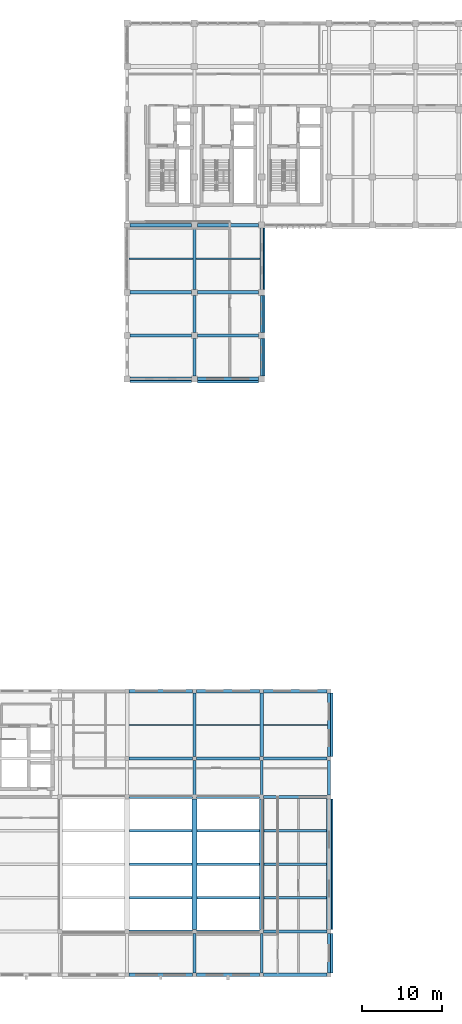
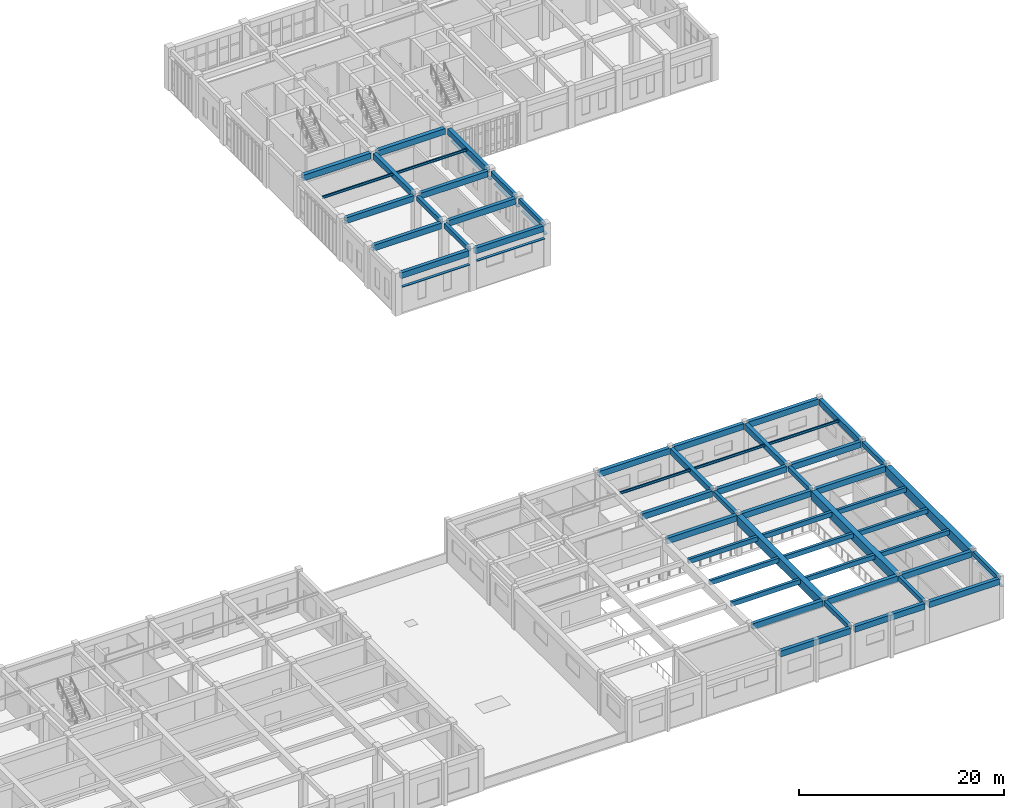
# One storey, part 36 of 77: 55 beams, 8 members.
"""IFC4 building model written with IfcOpenShell, lengths in metres."""

from ifc_helpers import new_model, si_unit, direction, frame, origin, origin_2d, place, context, subcontext, project, spatial, rectangle, hollow_rectangle, i_section, extrude, material, material_profile, profile_set, type_object, element, save


model = new_model("IFC4")

# Units and contexts
model_context = context("Model", 3, precision=1e-05, world=origin(), true_north=direction((0.0, 1.0)))
body_context = subcontext(model_context, "Body", "Model", "MODEL_VIEW")
ifc_project = project(units=[si_unit("LENGTHUNIT", "METRE"), si_unit("AREAUNIT", "SQUARE_METRE"), si_unit("VOLUMEUNIT", "CUBIC_METRE"), si_unit("PLANEANGLEUNIT", "RADIAN"), si_unit("MASSUNIT", "GRAM", prefix="KILO")], contexts=[model_context])

# Site, building, storey
site_placement = place(None, origin())
site = spatial("IfcSite", under=ifc_project, at=site_placement, CompositionType="ELEMENT")
building_placement = place(site_placement, origin())
building = spatial("IfcBuilding", under=site, at=building_placement, Name="Krzemoval Escarpment Law Courts", CompositionType="ELEMENT")
storey_placement = place(building_placement, frame((0.0, 0.0, 15.300048828125)))
storey = spatial("IfcBuildingStorey", under=building, at=storey_placement, Name="L03", CompositionType="ELEMENT", Elevation=15.300048828125)

# Beams
ifc_material_1 = material(Name="Concrete C50/60", Category="concrete")
ifc_material_profile_1 = material_profile(ifc_material_1, rectangle(XDim=0.60009765625, YDim=1.050048828125, at=origin_2d()), Name="PTG 600x1050")
ifc_profile_set_1 = profile_set([ifc_material_profile_1], Name="Concrete C50/60")
beam_type_1 = type_object("IfcBeamType", Name="BM-PTG-600x1050", PredefinedType="BEAM", material=ifc_profile_set_1)
for number, where, z_axis, x_axis, name in (
    (1, (134.39990234375, 5.64990234375, 4.31494140625), (0.0, 1.0, 0.0), (-1.0, 0.0, 0.0), "Beam FG-L03-2316"),
    (2, (142.800048828125, 5.64990234375, 4.31494140625), (0.0, 1.0, 0.0), (-1.0, 0.0, 0.0), "Beam FG-L03-2327"),
    (3, (151.199951171875, 5.64990234375, 4.31494140625), (0.0, 1.0, 0.0), (-1.0, 0.0, 0.0), "Beam FG-L03-2338"),
):
    element("IfcBeam", number, at=place(storey_placement, frame(where, z_axis=z_axis, x_axis=x_axis)), inside=storey, type_object=beam_type_1, Name=name, PredefinedType="BEAM", context=body_context, shape_type="SweptSolid", body=[
        extrude(rectangle(XDim=0.60009765625, YDim=1.050048828125, at=origin_2d()), origin(), (0.0, 0.0, 1.0), 16.300048828125),
    ])
ifc_material_2 = material(Name="Concrete C40/50", Category="concrete")
ifc_material_profile_2 = material_profile(ifc_material_2, rectangle(XDim=0.35009765625, YDim=0.550048828125, at=origin_2d()), Name="RCB 350x550")
ifc_profile_set_2 = profile_set([ifc_material_profile_2], Name="Concrete C40/50")
beam_type_2 = type_object("IfcBeamType", Name="BM-RC-350x550", PredefinedType="BEAM", material=ifc_profile_set_2)
beam_1_placement = place(storey_placement, frame((134.39990234375, 0.25, 4.56494140625), z_axis=(0.0, 1.0, 0.0), x_axis=(-1.0, 0.0, 0.0)))
element("IfcBeam", 4, at=beam_1_placement, inside=storey, type_object=beam_type_2, Name="Beam FG-L03-2315", PredefinedType="BEAM", context=body_context, shape_type="SweptSolid", body=[
    extrude(rectangle(XDim=0.35009765625, YDim=0.550048828125, at=origin_2d()), origin(), (0.0, 0.0, 1.0), 4.89990234375),
])
beam_2_placement = place(storey_placement, frame((134.39990234375, 22.449951171875, 4.56494140625), z_axis=(0.0, 1.0, 0.0), x_axis=(-1.0, 0.0, 0.0)))
element("IfcBeam", 5, at=beam_2_placement, inside=storey, type_object=beam_type_2, Name="Beam FG-L03-2317", PredefinedType="BEAM", context=body_context, shape_type="SweptSolid", body=[
    extrude(rectangle(XDim=0.35009765625, YDim=0.550048828125, at=origin_2d()), origin(), (0.0, 0.0, 1.0), 4.300048828125),
])
beam_3_placement = place(storey_placement, frame((134.39990234375, 74.77490234375, 4.56494140625), z_axis=(0.0, 1.0, 0.0), x_axis=(-1.0, 0.0, 0.0)))
element("IfcBeam", 6, at=beam_3_placement, inside=storey, type_object=beam_type_2, Name="Beam FG-L03-2319", PredefinedType="BEAM", context=body_context, shape_type="SweptSolid", body=[
    extrude(rectangle(XDim=0.35009765625, YDim=0.550048828125, at=origin_2d()), origin(), (0.0, 0.0, 1.0), 4.650146484375),
])
beam_4_placement = place(storey_placement, frame((134.39990234375, 80.175048828125, 4.56494140625), z_axis=(0.0, 1.0, 0.0), x_axis=(-1.0, 0.0, 0.0)))
element("IfcBeam", 7, at=beam_4_placement, inside=storey, type_object=beam_type_2, Name="Beam FG-L03-2320", PredefinedType="BEAM", context=body_context, shape_type="SweptSolid", body=[
    extrude(rectangle(XDim=0.35009765625, YDim=0.550048828125, at=origin_2d()), origin(), (0.0, 0.0, 1.0), 4.64990234375),
])
beam_5_placement = place(storey_placement, frame((142.800048828125, 0.25, 4.56494140625), z_axis=(0.0, 1.0, 0.0), x_axis=(-1.0, 0.0, 0.0)))
element("IfcBeam", 8, at=beam_5_placement, inside=storey, type_object=beam_type_2, Name="Beam FG-L03-2326", PredefinedType="BEAM", context=body_context, shape_type="SweptSolid", body=[
    extrude(rectangle(XDim=0.35009765625, YDim=0.550048828125, at=origin_2d()), origin(), (0.0, 0.0, 1.0), 4.89990234375),
])
beam_6_placement = place(storey_placement, frame((142.800048828125, 22.449951171875, 4.56494140625), z_axis=(0.0, 1.0, 0.0), x_axis=(-1.0, 0.0, 0.0)))
element("IfcBeam", 9, at=beam_6_placement, inside=storey, type_object=beam_type_2, Name="Beam FG-L03-2328", PredefinedType="BEAM", context=body_context, shape_type="SweptSolid", body=[
    extrude(rectangle(XDim=0.35009765625, YDim=0.550048828125, at=origin_2d()), origin(), (0.0, 0.0, 1.0), 4.300048828125),
])
beam_7_placement = place(storey_placement, frame((142.800048828125, 74.77490234375, 4.56494140625), z_axis=(0.0, 1.0, 0.0), x_axis=(-1.0, 0.0, 0.0)))
element("IfcBeam", 10, at=beam_7_placement, inside=storey, type_object=beam_type_2, Name="Beam FG-L03-2330", PredefinedType="BEAM", context=body_context, shape_type="SweptSolid", body=[
    extrude(rectangle(XDim=0.35009765625, YDim=0.550048828125, at=origin_2d()), origin(), (0.0, 0.0, 1.0), 4.650146484375),
])
beam_8_placement = place(storey_placement, frame((142.800048828125, 80.175048828125, 4.56494140625), z_axis=(0.0, 1.0, 0.0), x_axis=(-1.0, 0.0, 0.0)))
element("IfcBeam", 11, at=beam_8_placement, inside=storey, type_object=beam_type_2, Name="Beam FG-L03-2331", PredefinedType="BEAM", context=body_context, shape_type="SweptSolid", body=[
    extrude(rectangle(XDim=0.35009765625, YDim=0.550048828125, at=origin_2d()), origin(), (0.0, 0.0, 1.0), 4.64990234375),
])
beam_9_placement = place(storey_placement, frame((151.199951171875, 0.25, 4.56494140625), z_axis=(0.0, 1.0, 0.0), x_axis=(-1.0, 0.0, 0.0)))
element("IfcBeam", 12, at=beam_9_placement, inside=storey, type_object=beam_type_2, Name="Beam FG-L03-2337", PredefinedType="BEAM", context=body_context, shape_type="SweptSolid", body=[
    extrude(rectangle(XDim=0.35009765625, YDim=0.550048828125, at=origin_2d()), origin(), (0.0, 0.0, 1.0), 4.89990234375),
])
beam_10_placement = place(storey_placement, frame((151.199951171875, 22.449951171875, 4.56494140625), z_axis=(0.0, 1.0, 0.0), x_axis=(-1.0, 0.0, 0.0)))
element("IfcBeam", 13, at=beam_10_placement, inside=storey, type_object=beam_type_2, Name="Beam FG-L03-2339", PredefinedType="BEAM", context=body_context, shape_type="SweptSolid", body=[
    extrude(rectangle(XDim=0.35009765625, YDim=0.550048828125, at=origin_2d()), origin(), (0.0, 0.0, 1.0), 4.300048828125),
])
ifc_material_3 = material(Name="Concrete C40/50", Category="concrete")
ifc_material_profile_3 = material_profile(ifc_material_3, rectangle(XDim=0.39990234375, YDim=0.699951171875, at=origin_2d()), Name="RCB 400x700")
ifc_profile_set_3 = profile_set([ifc_material_profile_3], Name="Concrete C40/50")
beam_type_3 = type_object("IfcBeamType", Name="BM-RC-400x700", PredefinedType="BEAM", material=ifc_profile_set_3)
beam_11_placement = place(storey_placement, frame((126.25, 0.0, 4.489990234375), z_axis=(1.0, 0.0, 0.0), x_axis=(0.0, 1.0, 0.0)))
element("IfcBeam", 14, at=beam_11_placement, inside=storey, type_object=beam_type_3, Name="Beam FG-L03-2089", PredefinedType="BEAM", context=body_context, shape_type="SweptSolid", body=[
    extrude(rectangle(XDim=0.39990234375, YDim=0.699951171875, at=origin_2d()), origin(), (0.0, 0.0, 1.0), 7.89990234375),
])
beam_12_placement = place(storey_placement, frame((134.64990234375, 0.0, 4.489990234375), z_axis=(1.0, 0.0, 0.0), x_axis=(0.0, 1.0, 0.0)))
element("IfcBeam", 15, at=beam_12_placement, inside=storey, type_object=beam_type_3, Name="Beam FG-L03-2090", PredefinedType="BEAM", context=body_context, shape_type="SweptSolid", body=[
    extrude(rectangle(XDim=0.39990234375, YDim=0.699951171875, at=origin_2d()), origin(), (0.0, 0.0, 1.0), 7.900146484375),
])
for number, where, z_axis, x_axis, name in (
    (16, (143.050048828125, 0.0, 4.489990234375), (1.0, 0.0, 0.0), (0.0, 1.0, 0.0), "Beam FG-L03-2091"),
    (17, (126.25, 5.39990234375, 4.489990234375), (1.0, 0.0, 0.0), (0.0, 1.0, 0.0), "Beam FG-L03-2104"),
):
    element("IfcBeam", number, at=place(storey_placement, frame(where, z_axis=z_axis, x_axis=x_axis)), inside=storey, type_object=beam_type_3, Name=name, PredefinedType="BEAM", context=body_context, shape_type="SweptSolid", body=[
        extrude(rectangle(XDim=0.39990234375, YDim=0.699951171875, at=origin_2d()), origin(), (0.0, 0.0, 1.0), 7.89990234375),
    ])
beam_13_placement = place(storey_placement, frame((134.64990234375, 5.39990234375, 4.489990234375), z_axis=(1.0, 0.0, 0.0), x_axis=(0.0, 1.0, 0.0)))
element("IfcBeam", 18, at=beam_13_placement, inside=storey, type_object=beam_type_3, Name="Beam FG-L03-2105", PredefinedType="BEAM", context=body_context, shape_type="SweptSolid", body=[
    extrude(rectangle(XDim=0.39990234375, YDim=0.699951171875, at=origin_2d()), origin(), (0.0, 0.0, 1.0), 7.900146484375),
])
for number, where, z_axis, x_axis, name in (
    (19, (143.050048828125, 5.39990234375, 4.489990234375), (1.0, 0.0, 0.0), (0.0, 1.0, 0.0), "Beam FG-L03-2106"),
    (20, (126.25, 22.199951171875, 4.489990234375), (1.0, 0.0, 0.0), (0.0, 1.0, 0.0), "Beam FG-L03-2116"),
):
    element("IfcBeam", number, at=place(storey_placement, frame(where, z_axis=z_axis, x_axis=x_axis)), inside=storey, type_object=beam_type_3, Name=name, PredefinedType="BEAM", context=body_context, shape_type="SweptSolid", body=[
        extrude(rectangle(XDim=0.39990234375, YDim=0.699951171875, at=origin_2d()), origin(), (0.0, 0.0, 1.0), 7.89990234375),
    ])
beam_14_placement = place(storey_placement, frame((134.64990234375, 22.199951171875, 4.489990234375), z_axis=(1.0, 0.0, 0.0), x_axis=(0.0, 1.0, 0.0)))
element("IfcBeam", 21, at=beam_14_placement, inside=storey, type_object=beam_type_3, Name="Beam FG-L03-2117", PredefinedType="BEAM", context=body_context, shape_type="SweptSolid", body=[
    extrude(rectangle(XDim=0.39990234375, YDim=0.699951171875, at=origin_2d()), origin(), (0.0, 0.0, 1.0), 7.900146484375),
])
for number, where, z_axis, x_axis, name in (
    (22, (143.050048828125, 22.199951171875, 4.489990234375), (1.0, 0.0, 0.0), (0.0, 1.0, 0.0), "Beam FG-L03-2118"),
    (23, (126.25, 27.0, 4.489990234375), (1.0, 0.0, 0.0), (0.0, 1.0, 0.0), "Beam FG-L03-2130"),
):
    element("IfcBeam", number, at=place(storey_placement, frame(where, z_axis=z_axis, x_axis=x_axis)), inside=storey, type_object=beam_type_3, Name=name, PredefinedType="BEAM", context=body_context, shape_type="SweptSolid", body=[
        extrude(rectangle(XDim=0.39990234375, YDim=0.699951171875, at=origin_2d()), origin(), (0.0, 0.0, 1.0), 7.89990234375),
    ])
beam_15_placement = place(storey_placement, frame((134.64990234375, 27.0, 4.489990234375), z_axis=(1.0, 0.0, 0.0), x_axis=(0.0, 1.0, 0.0)))
element("IfcBeam", 24, at=beam_15_placement, inside=storey, type_object=beam_type_3, Name="Beam FG-L03-2131", PredefinedType="BEAM", context=body_context, shape_type="SweptSolid", body=[
    extrude(rectangle(XDim=0.39990234375, YDim=0.699951171875, at=origin_2d()), origin(), (0.0, 0.0, 1.0), 7.900146484375),
])
for number, where, z_axis, x_axis, name in (
    (25, (143.050048828125, 27.0, 4.489990234375), (1.0, 0.0, 0.0), (0.0, 1.0, 0.0), "Beam FG-L03-2132"),
    (26, (126.25, 35.39990234375, 4.489990234375), (1.0, 0.0, 0.0), (0.0, 1.0, 0.0), "Beam FG-L03-2146"),
):
    element("IfcBeam", number, at=place(storey_placement, frame(where, z_axis=z_axis, x_axis=x_axis)), inside=storey, type_object=beam_type_3, Name=name, PredefinedType="BEAM", context=body_context, shape_type="SweptSolid", body=[
        extrude(rectangle(XDim=0.39990234375, YDim=0.699951171875, at=origin_2d()), origin(), (0.0, 0.0, 1.0), 7.89990234375),
    ])
beam_16_placement = place(storey_placement, frame((134.64990234375, 35.39990234375, 4.489990234375), z_axis=(1.0, 0.0, 0.0), x_axis=(0.0, 1.0, 0.0)))
element("IfcBeam", 27, at=beam_16_placement, inside=storey, type_object=beam_type_3, Name="Beam FG-L03-2147", PredefinedType="BEAM", context=body_context, shape_type="SweptSolid", body=[
    extrude(rectangle(XDim=0.39990234375, YDim=0.699951171875, at=origin_2d()), origin(), (0.0, 0.0, 1.0), 7.900146484375),
])
beam_17_placement = place(storey_placement, frame((143.050048828125, 35.39990234375, 4.489990234375), z_axis=(1.0, 0.0, 0.0), x_axis=(0.0, 1.0, 0.0)))
element("IfcBeam", 28, at=beam_17_placement, inside=storey, type_object=beam_type_3, Name="Beam FG-L03-2148", PredefinedType="BEAM", context=body_context, shape_type="SweptSolid", body=[
    extrude(rectangle(XDim=0.39990234375, YDim=0.699951171875, at=origin_2d()), origin(), (0.0, 0.0, 1.0), 7.89990234375),
])
beam_18_placement = place(storey_placement, frame((126.375, 74.39990234375, 4.489990234375), z_axis=(1.0, 0.0, 0.0), x_axis=(0.0, 1.0, 0.0)))
element("IfcBeam", 29, at=beam_18_placement, inside=storey, type_object=beam_type_3, Name="Beam FG-L03-2166", PredefinedType="BEAM", context=body_context, shape_type="SweptSolid", body=[
    extrude(rectangle(XDim=0.39990234375, YDim=0.699951171875, at=origin_2d()), origin(), (0.0, 0.0, 1.0), 7.64990234375),
])
beam_19_placement = place(storey_placement, frame((134.77490234375, 74.39990234375, 4.489990234375), z_axis=(1.0, 0.0, 0.0), x_axis=(0.0, 1.0, 0.0)))
element("IfcBeam", 30, at=beam_19_placement, inside=storey, type_object=beam_type_3, Name="Beam FG-L03-2167", PredefinedType="BEAM", context=body_context, shape_type="SweptSolid", body=[
    extrude(rectangle(XDim=0.39990234375, YDim=0.699951171875, at=origin_2d()), origin(), (0.0, 0.0, 1.0), 7.650146484375),
])
beam_20_placement = place(storey_placement, frame((126.375, 79.800048828125, 4.489990234375), z_axis=(1.0, 0.0, 0.0), x_axis=(0.0, 1.0, 0.0)))
element("IfcBeam", 31, at=beam_20_placement, inside=storey, type_object=beam_type_3, Name="Beam FG-L03-2171", PredefinedType="BEAM", context=body_context, shape_type="SweptSolid", body=[
    extrude(rectangle(XDim=0.39990234375, YDim=0.699951171875, at=origin_2d()), origin(), (0.0, 0.0, 1.0), 7.64990234375),
])
beam_21_placement = place(storey_placement, frame((134.77490234375, 79.800048828125, 4.489990234375), z_axis=(1.0, 0.0, 0.0), x_axis=(0.0, 1.0, 0.0)))
element("IfcBeam", 32, at=beam_21_placement, inside=storey, type_object=beam_type_3, Name="Beam FG-L03-2172", PredefinedType="BEAM", context=body_context, shape_type="SweptSolid", body=[
    extrude(rectangle(XDim=0.39990234375, YDim=0.699951171875, at=origin_2d()), origin(), (0.0, 0.0, 1.0), 7.650146484375),
])
beam_22_placement = place(storey_placement, frame((126.375, 85.199951171875, 4.489990234375), z_axis=(1.0, 0.0, 0.0), x_axis=(0.0, 1.0, 0.0)))
element("IfcBeam", 33, at=beam_22_placement, inside=storey, type_object=beam_type_3, Name="Beam FG-L03-2176", PredefinedType="BEAM", context=body_context, shape_type="SweptSolid", body=[
    extrude(rectangle(XDim=0.39990234375, YDim=0.699951171875, at=origin_2d()), origin(), (0.0, 0.0, 1.0), 7.64990234375),
])
beam_23_placement = place(storey_placement, frame((134.77490234375, 85.199951171875, 4.489990234375), z_axis=(1.0, 0.0, 0.0), x_axis=(0.0, 1.0, 0.0)))
element("IfcBeam", 34, at=beam_23_placement, inside=storey, type_object=beam_type_3, Name="Beam FG-L03-2177", PredefinedType="BEAM", context=body_context, shape_type="SweptSolid", body=[
    extrude(rectangle(XDim=0.39990234375, YDim=0.699951171875, at=origin_2d()), origin(), (0.0, 0.0, 1.0), 7.650146484375),
])
beam_24_placement = place(storey_placement, frame((134.39990234375, 27.25, 4.489990234375), z_axis=(0.0, 1.0, 0.0), x_axis=(-1.0, 0.0, 0.0)))
element("IfcBeam", 35, at=beam_24_placement, inside=storey, type_object=beam_type_3, Name="Beam FG-L03-2318", PredefinedType="BEAM", context=body_context, shape_type="SweptSolid", body=[
    extrude(rectangle(XDim=0.39990234375, YDim=0.699951171875, at=origin_2d()), origin(), (0.0, 0.0, 1.0), 7.89990234375),
])
beam_25_placement = place(storey_placement, frame((134.39990234375, 85.574951171875, 4.489990234375), z_axis=(0.0, 1.0, 0.0), x_axis=(-1.0, 0.0, 0.0)))
element("IfcBeam", 36, at=beam_25_placement, inside=storey, type_object=beam_type_3, Name="Beam FG-L03-2321", PredefinedType="BEAM", context=body_context, shape_type="SweptSolid", body=[
    extrude(rectangle(XDim=0.39990234375, YDim=0.699951171875, at=origin_2d()), origin(), (0.0, 0.0, 1.0), 7.650146484375),
])
beam_26_placement = place(storey_placement, frame((142.800048828125, 27.25, 4.489990234375), z_axis=(0.0, 1.0, 0.0), x_axis=(-1.0, 0.0, 0.0)))
element("IfcBeam", 37, at=beam_26_placement, inside=storey, type_object=beam_type_3, Name="Beam FG-L03-2329", PredefinedType="BEAM", context=body_context, shape_type="SweptSolid", body=[
    extrude(rectangle(XDim=0.39990234375, YDim=0.699951171875, at=origin_2d()), origin(), (0.0, 0.0, 1.0), 7.89990234375),
])
beam_27_placement = place(storey_placement, frame((142.800048828125, 85.574951171875, 4.489990234375), z_axis=(0.0, 1.0, 0.0), x_axis=(-1.0, 0.0, 0.0)))
element("IfcBeam", 38, at=beam_27_placement, inside=storey, type_object=beam_type_3, Name="Beam FG-L03-2332", PredefinedType="BEAM", context=body_context, shape_type="SweptSolid", body=[
    extrude(rectangle(XDim=0.39990234375, YDim=0.699951171875, at=origin_2d()), origin(), (0.0, 0.0, 1.0), 7.650146484375),
])
beam_28_placement = place(storey_placement, frame((151.199951171875, 27.25, 4.489990234375), z_axis=(0.0, 1.0, 0.0), x_axis=(-1.0, 0.0, 0.0)))
element("IfcBeam", 39, at=beam_28_placement, inside=storey, type_object=beam_type_3, Name="Beam FG-L03-2340", PredefinedType="BEAM", context=body_context, shape_type="SweptSolid", body=[
    extrude(rectangle(XDim=0.39990234375, YDim=0.699951171875, at=origin_2d()), origin(), (0.0, 0.0, 1.0), 7.89990234375),
])
ifc_material_4 = material(Name="Concrete C40/50", Category="concrete")
ifc_material_profile_4 = material_profile(ifc_material_4, rectangle(XDim=0.449951171875, YDim=0.699951171875, at=origin_2d()), Name="RCB 450x700")
ifc_profile_set_4 = profile_set([ifc_material_profile_4], Name="Concrete C40/50")
beam_type_4 = type_object("IfcBeamType", Name="BM-RC-450x700", PredefinedType="BEAM", material=ifc_profile_set_4)
beam_29_placement = place(storey_placement, frame((126.375, 93.60009765625, 4.489990234375), z_axis=(1.0, 0.0, 0.0), x_axis=(0.0, 1.0, 0.0)))
element("IfcBeam", 40, at=beam_29_placement, inside=storey, type_object=beam_type_4, Name="Beam FG-L03-2182", PredefinedType="BEAM", context=body_context, shape_type="SweptSolid", body=[
    extrude(rectangle(XDim=0.449951171875, YDim=0.699951171875, at=origin_2d()), origin(), (0.0, 0.0, 1.0), 7.64990234375),
])
beam_30_placement = place(storey_placement, frame((134.77490234375, 93.60009765625, 4.489990234375), z_axis=(1.0, 0.0, 0.0), x_axis=(0.0, 1.0, 0.0)))
element("IfcBeam", 41, at=beam_30_placement, inside=storey, type_object=beam_type_4, Name="Beam FG-L03-2183", PredefinedType="BEAM", context=body_context, shape_type="SweptSolid", body=[
    extrude(rectangle(XDim=0.449951171875, YDim=0.699951171875, at=origin_2d()), origin(), (0.0, 0.0, 1.0), 7.650146484375),
])
ifc_material_5 = material(Name="Concrete C40/50", Category="concrete")
ifc_material_profile_5 = material_profile(ifc_material_5, rectangle(XDim=0.300048828125, YDim=0.550048828125, at=origin_2d()), Name="RCB 300x550")
ifc_profile_set_5 = profile_set([ifc_material_profile_5], Name="Concrete C40/50")
beam_type_5 = type_object("IfcBeamType", Name="JST-RC-300x550", PredefinedType="JOIST", material=ifc_profile_set_5)
for number, where, z_axis, x_axis, name in (
    (42, (126.300048828125, 9.60009765625, 4.56494140625), (1.0, 0.0, 0.0), (0.0, 1.0, 0.0), "Secondary Joist FJ-L03-2410"),
    (43, (126.300048828125, 13.800048828125, 4.56494140625), (1.0, 0.0, 0.0), (0.0, 1.0, 0.0), "Secondary Joist FJ-L03-2411"),
    (44, (126.300048828125, 18.0, 4.56494140625), (1.0, 0.0, 0.0), (0.0, 1.0, 0.0), "Secondary Joist FJ-L03-2412"),
    (45, (134.699951171875, 9.60009765625, 4.56494140625), (1.0, 0.0, 0.0), (0.0, 1.0, 0.0), "Secondary Joist FJ-L03-2415"),
    (46, (134.699951171875, 13.800048828125, 4.56494140625), (1.0, 0.0, 0.0), (0.0, 1.0, 0.0), "Secondary Joist FJ-L03-2416"),
    (47, (134.699951171875, 18.0, 4.56494140625), (1.0, 0.0, 0.0), (0.0, 1.0, 0.0), "Secondary Joist FJ-L03-2417"),
):
    element("IfcBeam", number, at=place(storey_placement, frame(where, z_axis=z_axis, x_axis=x_axis)), inside=storey, type_object=beam_type_5, Name=name, PredefinedType="JOIST", context=body_context, shape_type="SweptSolid", body=[
        extrude(rectangle(XDim=0.300048828125, YDim=0.550048828125, at=origin_2d()), origin(), (0.0, 0.0, 1.0), 7.800048828125),
    ])
for number, where, z_axis, x_axis, name in (
    (48, (143.10009765625, 9.60009765625, 4.56494140625), (1.0, 0.0, 0.0), (0.0, 1.0, 0.0), "Secondary Joist FJ-L03-2420"),
    (49, (143.10009765625, 13.800048828125, 4.56494140625), (1.0, 0.0, 0.0), (0.0, 1.0, 0.0), "Secondary Joist FJ-L03-2421"),
    (50, (143.10009765625, 18.0, 4.56494140625), (1.0, 0.0, 0.0), (0.0, 1.0, 0.0), "Secondary Joist FJ-L03-2422"),
):
    element("IfcBeam", number, at=place(storey_placement, frame(where, z_axis=z_axis, x_axis=x_axis)), inside=storey, type_object=beam_type_5, Name=name, PredefinedType="JOIST", context=body_context, shape_type="SweptSolid", body=[
        extrude(rectangle(XDim=0.300048828125, YDim=0.550048828125, at=origin_2d()), origin(), (0.0, 0.0, 1.0), 7.7998046875),
    ])
ifc_material_6 = material(Name="Steel S355", Category="steel")
ifc_material_profile_6 = material_profile(ifc_material_6, i_section(OverallWidth=0.14990234375, OverallDepth=0.300048828125, WebThickness=0.007080078125, FlangeThickness=0.0107421875, at=origin_2d()), Name="IPE 300")
ifc_profile_set_6 = profile_set([ifc_material_profile_6], Name="Steel S355")
beam_type_6 = type_object("IfcBeamType", Name="JST-S355-IPE300", PredefinedType="JOIST", material=ifc_profile_set_6)
for number, where, z_axis, x_axis, name in (
    (51, (126.199951171875, 31.199951171875, 4.68994140625), (1.0, 0.0, 0.0), (0.0, 1.0, 0.0), "Secondary Joist FJ-L03-2413"),
    (52, (126.199951171875, 89.39990234375, 4.68994140625), (1.0, 0.0, 0.0), (0.0, 1.0, 0.0), "Secondary Joist FJ-L03-2414"),
    (53, (134.60009765625, 31.199951171875, 4.68994140625), (1.0, 0.0, 0.0), (0.0, 1.0, 0.0), "Secondary Joist FJ-L03-2418"),
    (54, (134.60009765625, 89.39990234375, 4.68994140625), (1.0, 0.0, 0.0), (0.0, 1.0, 0.0), "Secondary Joist FJ-L03-2419"),
    (55, (143.0, 31.199951171875, 4.68994140625), (1.0, 0.0, 0.0), (0.0, 1.0, 0.0), "Secondary Joist FJ-L03-2423"),
):
    element("IfcBeam", number, at=place(storey_placement, frame(where, z_axis=z_axis, x_axis=x_axis)), inside=storey, type_object=beam_type_6, Name=name, PredefinedType="JOIST", context=body_context, shape_type="SweptSolid", body=[
        extrude(i_section(OverallWidth=0.14990234375, OverallDepth=0.300048828125, WebThickness=0.007080078125, FlangeThickness=0.0107421875, at=origin_2d()), origin(), (0.0, 0.0, 1.0), 8.0),
    ])

# Members
ifc_material_7 = material(Name="Anodised Aluminium Alloy 6063-T6", Category="aluminium")
ifc_material_profile_7 = material_profile(ifc_material_7, hollow_rectangle(XDim=0.06005859375, YDim=0.320068359375, WallThickness=0.00390625, at=origin_2d()), Name="ALU LVR 60x320")
ifc_profile_set_7 = profile_set([ifc_material_profile_7], Name="Anodised Aluminium Alloy 6063-T6")
member_type = type_object("IfcMemberType", Name="LVR-ALU-320", PredefinedType="USERDEFINED", material=ifc_profile_set_7)
member_1_placement = place(storey_placement, frame((151.5400390625, 35.14990234375, 3.4599609375), z_axis=(0.0, -1.0, 0.0), x_axis=(0.0, 0.0, 1.0)))
element("IfcMember", 56, at=member_1_placement, inside=storey, type_object=member_type, Name="Window Sunshade Louvre FLV-L03-0766", ObjectType="SUNSHADE_LOUVRE", PredefinedType="USERDEFINED", context=body_context, shape_type="SweptSolid", body=[
    extrude(hollow_rectangle(XDim=0.06005859375, YDim=0.320068359375, WallThickness=0.00390625, at=origin_2d()), origin(), (0.0, 0.0, 1.0), 7.89990234375),
])
member_2_placement = place(storey_placement, frame((151.5400390625, 21.949951171875, 3.4599609375), z_axis=(0.0, -1.0, 0.0), x_axis=(0.0, 0.0, 1.0)))
element("IfcMember", 57, at=member_2_placement, inside=storey, type_object=member_type, Name="Window Sunshade Louvre FLV-L03-0767", ObjectType="SUNSHADE_LOUVRE", PredefinedType="USERDEFINED", context=body_context, shape_type="SweptSolid", body=[
    extrude(hollow_rectangle(XDim=0.06005859375, YDim=0.320068359375, WallThickness=0.00390625, at=origin_2d()), origin(), (0.0, 0.0, 1.0), 16.300048828125),
])
member_3_placement = place(storey_placement, frame((151.5400390625, 5.14990234375, 3.4599609375), z_axis=(0.0, -1.0, 0.0), x_axis=(0.0, 0.0, 1.0)))
element("IfcMember", 58, at=member_3_placement, inside=storey, type_object=member_type, Name="Window Sunshade Louvre FLV-L03-0768", ObjectType="SUNSHADE_LOUVRE", PredefinedType="USERDEFINED", context=body_context, shape_type="SweptSolid", body=[
    extrude(hollow_rectangle(XDim=0.06005859375, YDim=0.320068359375, WallThickness=0.00390625, at=origin_2d()), origin(), (0.0, 0.0, 1.0), 4.89990234375),
])
member_4_placement = place(storey_placement, frame((143.080078125, 93.22509765625, 3.260009765625), z_axis=(0.0, -1.0, 0.0), x_axis=(0.0, 0.0, 1.0)))
element("IfcMember", 59, at=member_4_placement, inside=storey, type_object=member_type, Name="Window Sunshade Louvre FLV-L03-0814", ObjectType="SUNSHADE_LOUVRE", PredefinedType="USERDEFINED", context=body_context, shape_type="SweptSolid", body=[
    extrude(hollow_rectangle(XDim=0.06005859375, YDim=0.320068359375, WallThickness=0.00390625, at=origin_2d()), origin(), (0.0, 0.0, 1.0), 7.650146484375),
])
member_5_placement = place(storey_placement, frame((143.080078125, 84.824951171875, 3.260009765625), z_axis=(0.0, -1.0, 0.0), x_axis=(0.0, 0.0, 1.0)))
element("IfcMember", 60, at=member_5_placement, inside=storey, type_object=member_type, Name="Window Sunshade Louvre FLV-L03-0815", ObjectType="SUNSHADE_LOUVRE", PredefinedType="USERDEFINED", context=body_context, shape_type="SweptSolid", body=[
    extrude(hollow_rectangle(XDim=0.06005859375, YDim=0.320068359375, WallThickness=0.00390625, at=origin_2d()), origin(), (0.0, 0.0, 1.0), 4.64990234375),
])
member_6_placement = place(storey_placement, frame((143.080078125, 79.425048828125, 3.260009765625), z_axis=(0.0, -1.0, 0.0), x_axis=(0.0, 0.0, 1.0)))
element("IfcMember", 61, at=member_6_placement, inside=storey, type_object=member_type, Name="Window Sunshade Louvre FLV-L03-0816", ObjectType="SUNSHADE_LOUVRE", PredefinedType="USERDEFINED", context=body_context, shape_type="SweptSolid", body=[
    extrude(hollow_rectangle(XDim=0.06005859375, YDim=0.320068359375, WallThickness=0.00390625, at=origin_2d()), origin(), (0.0, 0.0, 1.0), 4.650146484375),
])
member_7_placement = place(storey_placement, frame((142.425048828125, 74.06005859375, 3.4599609375), z_axis=(-1.0, 0.0, 0.0), x_axis=(0.0, 0.0, 1.0)))
element("IfcMember", 62, at=member_7_placement, inside=storey, type_object=member_type, Name="Window Sunshade Louvre FLV-L03-0817", ObjectType="SUNSHADE_LOUVRE", PredefinedType="USERDEFINED", context=body_context, shape_type="SweptSolid", body=[
    extrude(hollow_rectangle(XDim=0.06005859375, YDim=0.320068359375, WallThickness=0.00390625, at=origin_2d()), origin(), (0.0, 0.0, 1.0), 7.650146484375),
])
member_8_placement = place(storey_placement, frame((134.02490234375, 74.1201171875, 3.260009765625), z_axis=(-1.0, 0.0, 0.0), x_axis=(0.0, 0.0, 1.0)))
element("IfcMember", 63, at=member_8_placement, inside=storey, type_object=member_type, Name="Window Sunshade Louvre FLV-L03-0818", ObjectType="SUNSHADE_LOUVRE", PredefinedType="USERDEFINED", context=body_context, shape_type="SweptSolid", body=[
    extrude(hollow_rectangle(XDim=0.06005859375, YDim=0.320068359375, WallThickness=0.00390625, at=origin_2d()), origin(), (0.0, 0.0, 1.0), 7.64990234375),
])

save(model, "model.ifc")
